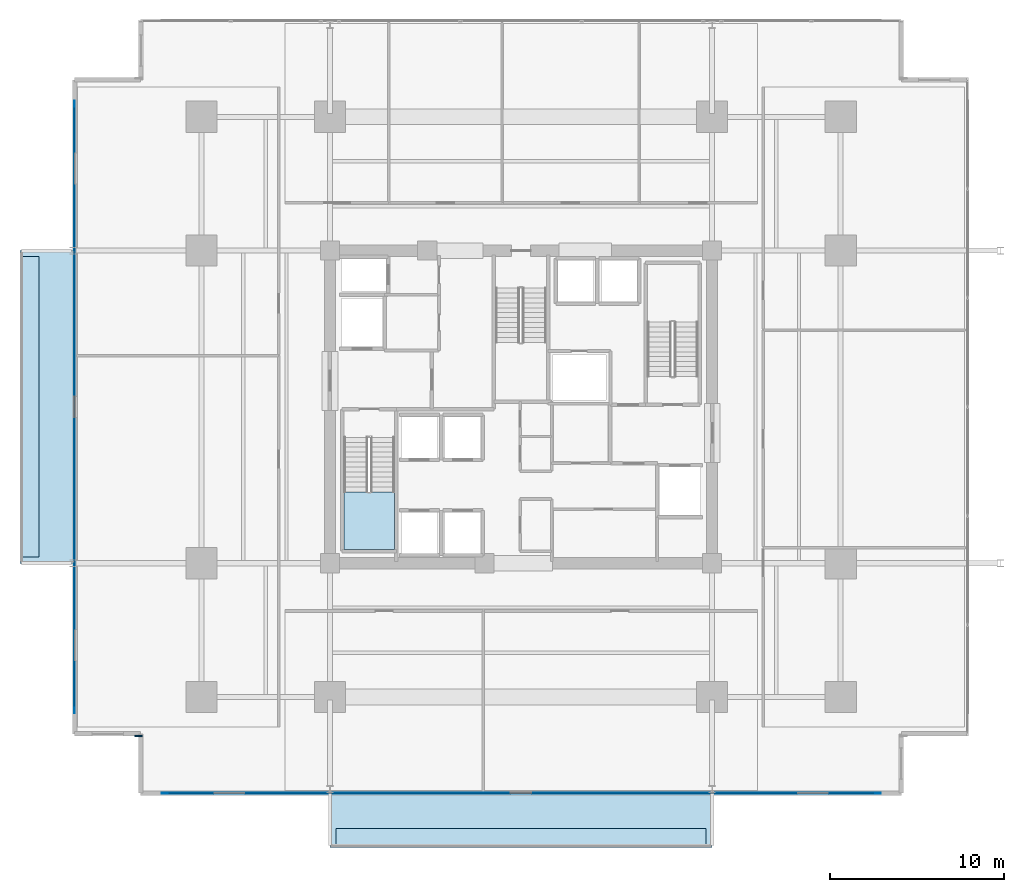
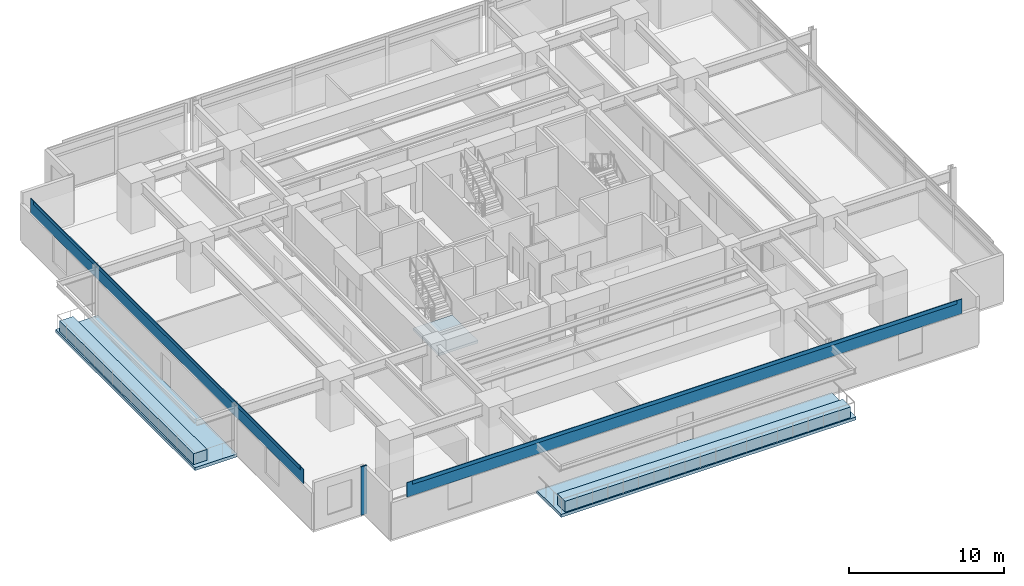
# One storey, part 13 of 23: 5 plates, 5 slabs, 1 element without a shape of its own.
"""IFC4 building model written with IfcOpenShell, lengths in metres."""

from ifc_helpers import new_model, si_unit, direction, frame, origin, origin_2d, place, context, subcontext, project, spatial, polyline, rectangle, outline, extrude, material, layer, layer_set, type_object, element, aggregate, save


model = new_model("IFC4")

# Units and contexts
model_context = context("Model", 3, precision=1e-05, world=origin(), true_north=direction((0.0, 1.0)))
body_context = subcontext(model_context, "Body", "Model", "MODEL_VIEW")
ifc_project = project(units=[si_unit("LENGTHUNIT", "METRE"), si_unit("AREAUNIT", "SQUARE_METRE"), si_unit("VOLUMEUNIT", "CUBIC_METRE"), si_unit("PLANEANGLEUNIT", "RADIAN"), si_unit("MASSUNIT", "GRAM", prefix="KILO")], contexts=[model_context])

# Site, building, storey
site_placement = place(None, origin())
site = spatial("IfcSite", under=ifc_project, at=site_placement, CompositionType="ELEMENT")
building_placement = place(site_placement, origin())
building = spatial("IfcBuilding", under=site, at=building_placement, Name="Kovane Verandah Tower", CompositionType="ELEMENT")
storey_placement = place(building_placement, frame((0.0, 0.0, 55.60009765625)))
storey = spatial("IfcBuildingStorey", under=building, at=storey_placement, Name="L12", CompositionType="ELEMENT", Elevation=55.60009765625)

# Plates
ifc_material_1 = material(Name="Timber-Toned Subtropical Aluminium Vertical Blade", Category="wood")
ifc_layer_1 = layer(ifc_material_1, 0.090087890625)
ifc_layer_set_1 = layer_set([ifc_layer_1], Name="Timber-Toned Subtropical Aluminium Vertical Blade")
plate_type_1 = type_object("IfcPlateType", Name="PL-FIN-90", PredefinedType="USERDEFINED", material=ifc_layer_set_1)
plate_1_placement = place(storey_placement, frame((17.98388671875, 8.552734375, -0.02001953125), z_axis=(0.0, 0.0, 1.0), x_axis=(1.0, 0.0, 0.0)))
element("IfcPlate", 1, at=plate_1_placement, inside=storey, type_object=plate_type_1, Name="L12 SW Timber-Toned Vertical Corner Fin", ObjectType="FIN", PredefinedType="USERDEFINED", context=body_context, shape_type="SweptSolid", body=[
    extrude(rectangle(XDim=0.419921875, YDim=0.090087890625, at=origin_2d()), origin(), (0.0, 0.0, 1.0), 3.820068359375),
])
ifc_material_2 = material(Name="Perforated Pale Champagne Anodised Aluminium Solar Screen", Category="aluminium")
ifc_layer_2 = layer(ifc_material_2, 0.050048828125)
ifc_layer_set_2 = layer_set([ifc_layer_2], Name="Perforated Pale Champagne Anodised Aluminium Solar Screen")
plate_type_2 = type_object("IfcPlateType", Name="PL-SCREEN-50", PredefinedType="USERDEFINED", material=ifc_layer_set_2)
plate_2_placement = place(storey_placement, frame((40.0, 5.2578125, 2.85986328125), z_axis=(0.0, 0.0, 1.0), x_axis=(1.0, 0.0, 0.0)))
element("IfcPlate", 2, at=plate_2_placement, inside=storey, type_object=plate_type_2, Name="L12 S Perforated Champagne-Gold Solar Screen", ObjectType="SCREEN", PredefinedType="USERDEFINED", context=body_context, shape_type="SweptSolid", body=[
    extrude(rectangle(XDim=41.39208984375, YDim=0.050048828125, at=origin_2d()), origin(), (0.0, 0.0, 1.0), 1.14990234375),
])
plate_3_placement = place(storey_placement, frame((14.2890625, 27.5, 2.85986328125), z_axis=(0.0, 0.0, 1.0), x_axis=(0.0, -1.0, 0.0)))
element("IfcPlate", 3, at=plate_3_placement, inside=storey, type_object=plate_type_2, Name="L12 W Perforated Champagne-Gold Solar Screen", ObjectType="SCREEN", PredefinedType="USERDEFINED", context=body_context, shape_type="SweptSolid", body=[
    extrude(rectangle(XDim=35.25390625, YDim=0.050048828125, at=origin_2d()), origin(), (0.0, 0.0, 1.0), 1.14990234375),
])
ifc_material_3 = material(Name="Extruded Pale-Bronze Aluminium Aerofoil Sunshade", Category="aluminium")
ifc_layer_3 = layer(ifc_material_3, 0.06005859375)
ifc_layer_set_3 = layer_set([ifc_layer_3], Name="Extruded Pale-Bronze Aluminium Aerofoil Sunshade")
plate_type_3 = type_object("IfcPlateType", Name="PL-SUNSHADE-60", PredefinedType="USERDEFINED", material=ifc_layer_set_3)
plate_4_placement = place(storey_placement, frame((40.0, 5.252685546875, 3.73974609375), z_axis=(0.0, 0.0, 1.0), x_axis=(1.0, 0.0, 0.0)))
element("IfcPlate", 4, at=plate_4_placement, inside=storey, type_object=plate_type_3, Name="L12 S Subtropical Aerofoil Sunshade", ObjectType="SUNSHADE", PredefinedType="USERDEFINED", context=body_context, shape_type="SweptSolid", body=[
    extrude(rectangle(XDim=40.592041015625, YDim=0.06005859375, at=origin_2d()), origin(), (0.0, 0.0, 1.0), 0.280029296875),
])
plate_5_placement = place(storey_placement, frame((14.283935546875, 27.5, 3.73974609375), z_axis=(0.0, 0.0, 1.0), x_axis=(0.0, -1.0, 0.0)))
element("IfcPlate", 5, at=plate_5_placement, inside=storey, type_object=plate_type_3, Name="L12 W Subtropical Aerofoil Sunshade", ObjectType="SUNSHADE", PredefinedType="USERDEFINED", context=body_context, shape_type="SweptSolid", body=[
    extrude(rectangle(XDim=34.4541015625, YDim=0.06005859375, at=origin_2d()), origin(), (0.0, 0.0, 1.0), 0.280029296875),
])

# Slabs
ifc_material_4 = material(Name="Concrete C45/55", Category="concrete")
ifc_layer_4 = layer(ifc_material_4, 0.239990234375)
ifc_layer_set_4 = layer_set([ifc_layer_4], Name="Concrete C45/55")
slab_type_1 = type_object("IfcSlabType", Name="SL-BALC-240", PredefinedType="FLOOR", material=ifc_layer_set_4)
slab_1_placement = place(storey_placement, frame((0.0, 0.0, -0.239990234375)))
element("IfcSlab", 6, at=slab_1_placement, inside=storey, type_object=slab_type_1, Name="L12 S Planted Verandah Balcony Slab", PredefinedType="FLOOR", context=body_context, shape_type="SweptSolid", body=[
    extrude(outline(polyline([(29.0, 2.122802734375), (51.0, 2.122802734375), (51.0, 5.272705078125), (29.0, 5.272705078125), (29.0, 2.122802734375)])), origin(), (0.0, 0.0, 1.0), 0.239990234375),
])
slab_2_placement = place(storey_placement, frame((0.0, 0.0, -0.239990234375)))
element("IfcSlab", 7, at=slab_2_placement, inside=storey, type_object=slab_type_1, Name="L12 W Planted Verandah Balcony Slab", PredefinedType="FLOOR", context=body_context, shape_type="SweptSolid", body=[
    extrude(outline(polyline([(11.154052734375, 18.5), (14.303955078125, 18.5), (14.303955078125, 36.5), (11.154052734375, 36.5), (11.154052734375, 18.5)])), origin(), (0.0, 0.0, 1.0), 0.239990234375),
])

# Stair, slab
stair_type = type_object("IfcStairType", Name="ST-CORE-1380", PredefinedType="HALF_TURN_STAIR", material=ifc_material_4)
stair_placement = place(storey_placement, origin())
stair = element("IfcStair", 8, at=stair_placement, inside=storey, type_object=stair_type, Name="L12 Exit Stair ST-01", PredefinedType="HALF_TURN_STAIR")
ifc_layer_5 = layer(ifc_material_4, 0.199951171875)
ifc_layer_set_5 = layer_set([ifc_layer_5], Name="Concrete C45/55")
slab_type_2 = type_object("IfcSlabType", Name="SL-LAND-200", PredefinedType="LANDING", material=ifc_layer_set_5)
slab_3_placement = place(storey_placement, frame((0.0, 0.0, 1.7998046875)))
slab_3 = element("IfcSlab", 9, at=slab_3_placement, type_object=slab_type_2, Name="ST-01 landing 1", PredefinedType="LANDING", context=body_context, shape_type="SweptSolid", body=[
    extrude(outline(polyline([(29.800048828125, 22.614990234375), (29.800048828125, 19.300048828125), (32.719970703125, 19.300048828125), (32.719970703125, 22.614990234375), (29.800048828125, 22.614990234375)])), origin(), (0.0, 0.0, 1.0), 0.2001953125),
])
aggregate(stair, [slab_3])

# Slabs
ifc_material_5 = material(Name="Architectural Precast Concrete C45/55 Planter Trough", Category="concrete")
ifc_layer_6 = layer(ifc_material_5, 0.219970703125)
ifc_layer_set_6 = layer_set([ifc_layer_6], Name="Architectural Precast Concrete C45/55 Planter Trough")
slab_type_3 = type_object("IfcSlabType", Name="SL-PLANTER-220", PredefinedType="USERDEFINED", material=ifc_layer_set_6)
slab_4_placement = place(storey_placement, origin())
element("IfcSlab", 10, at=slab_4_placement, inside=storey, type_object=slab_type_3, Name="L12 S Structural Tree Planter", ObjectType="PLANTER", PredefinedType="USERDEFINED", context=body_context, shape_type="SweptSolid", body=[
    extrude(outline(polyline([(29.35009765625, 2.222900390625), (50.64990234375, 2.222900390625), (50.64990234375, 3.222900390625), (29.35009765625, 3.222900390625), (29.35009765625, 2.222900390625)])), origin(), (0.0, 0.0, 1.0), 0.849853515625),
])
slab_5_placement = place(storey_placement, origin())
element("IfcSlab", 11, at=slab_5_placement, inside=storey, type_object=slab_type_3, Name="L12 W Structural Tree Planter", ObjectType="PLANTER", PredefinedType="USERDEFINED", context=body_context, shape_type="SweptSolid", body=[
    extrude(outline(polyline([(11.25390625, 18.85009765625), (12.25390625, 18.85009765625), (12.25390625, 36.14990234375), (11.25390625, 36.14990234375), (11.25390625, 18.85009765625)])), origin(), (0.0, 0.0, 1.0), 0.849853515625),
])

save(model, "model.ifc")
